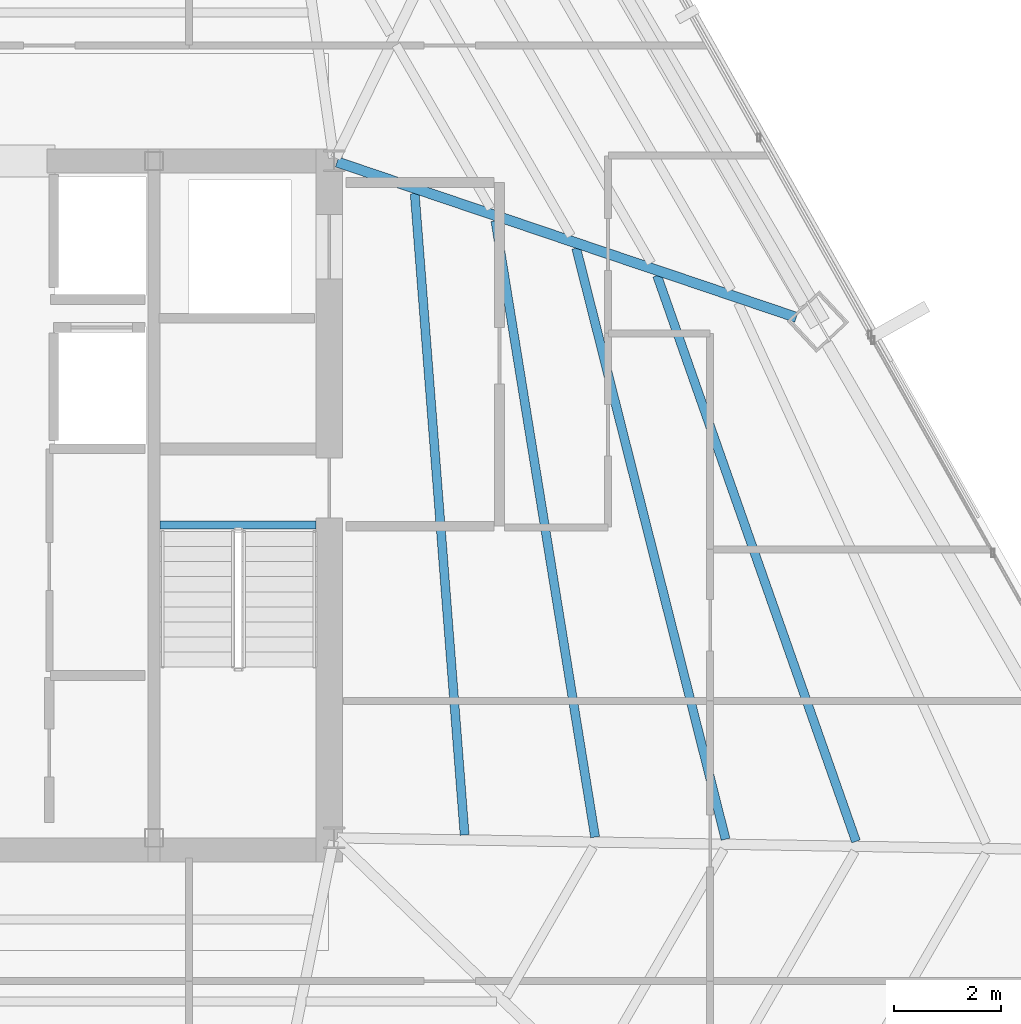
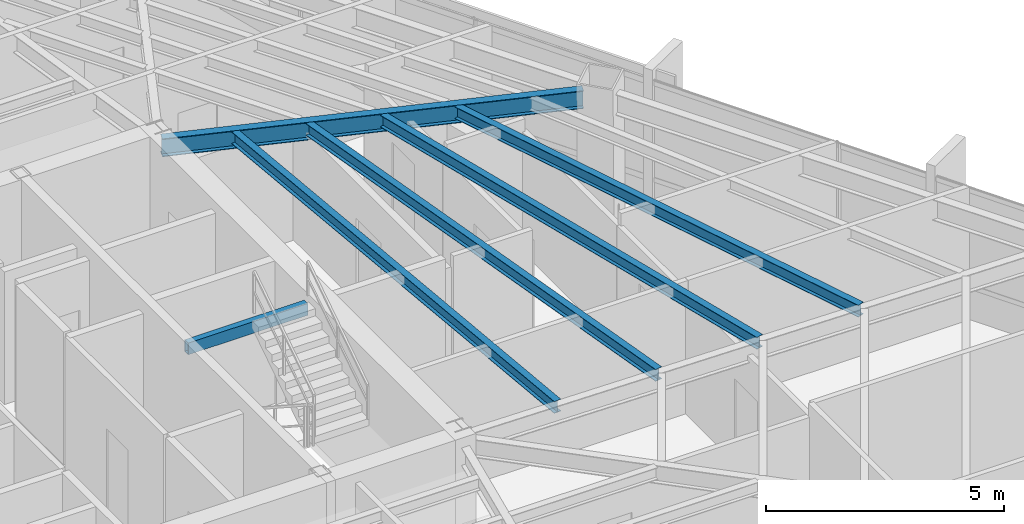
# One storey, part 23 of 44: 6 beams.
"""IFC4 building model written with IfcOpenShell, lengths in metres."""

from ifc_helpers import new_model, si_unit, direction, frame, origin, origin_2d, place, context, subcontext, project, spatial, hollow_rectangle, i_section, extrude, source, transform, mapped, material, material_profile, profile_set, type_object, type_shapes, element, save


model = new_model("IFC4")

# Units and contexts
model_context = context("Model", 3, precision=1e-05, world=origin(), true_north=direction((0.0, 1.0)))
body_context = subcontext(model_context, "Body", "Model", "MODEL_VIEW")
ifc_project = project(units=[si_unit("LENGTHUNIT", "METRE"), si_unit("AREAUNIT", "SQUARE_METRE"), si_unit("VOLUMEUNIT", "CUBIC_METRE"), si_unit("PLANEANGLEUNIT", "RADIAN"), si_unit("MASSUNIT", "GRAM", prefix="KILO")], contexts=[model_context])

# Site, building, storey
site_placement = place(None, origin())
site = spatial("IfcSite", under=ifc_project, at=site_placement, CompositionType="ELEMENT")
building_placement = place(site_placement, origin())
building = spatial("IfcBuilding", under=site, at=building_placement, Name="Caelisora Broadcast Tower", CompositionType="ELEMENT")
storey_placement = place(building_placement, frame((0.0, 0.0, 198.64990234375)))
storey = spatial("IfcBuildingStorey", under=building, at=storey_placement, Name="L52", CompositionType="ELEMENT", Elevation=198.64990234375)

# Beams
ifc_material_1 = material(Name="Steel Grade 350 (AS/NZS 1163 C350L0)", Category="steel")
ifc_material_profile_1 = material_profile(ifc_material_1, hollow_rectangle(XDim=0.14990234375, YDim=0.300048828125, WallThickness=0.010009765625, at=origin_2d()), Name="Steel Grade 350 (AS/NZS 1163 C350L0)")
ifc_profile_set_1 = profile_set([ifc_material_profile_1], Name="Steel Grade 350 (AS/NZS 1163 C350L0)")
beam_type_1 = type_object("IfcBeamType", Name="SB05", PredefinedType="JOIST", material=ifc_profile_set_1)
shared_shape_1 = source(origin(), body_context, "Body", "SweptSolid", [
    extrude(hollow_rectangle(XDim=0.14990234375, YDim=0.300048828125, WallThickness=0.010009765625, at=origin_2d()), origin(), (0.0, 0.0, 1.0), 2.89990234375),
])
type_shapes(beam_type_1, [shared_shape_1])
beam_1_placement = place(storey_placement, frame((42.260009765625, 23.219970703125, 3.25), z_axis=(1.0, 0.0, 0.0), x_axis=(0.0, 1.0, 0.0)))
element("IfcBeam", 1, at=beam_1_placement, inside=storey, type_object=beam_type_1, Name="L52 beam SB05", PredefinedType="JOIST", context=body_context, shape_type="MappedRepresentation", body=[
    mapped(shared_shape_1, transform((0.0, 0.0, 0.0), scale=1.0)),
])
ifc_material_2 = material(Name="Steel Grade 350 (AS/NZS 3679.1)", Category="steel")
ifc_material_profile_2 = material_profile(ifc_material_2, i_section(OverallWidth=0.19091796875, OverallDepth=0.46044921875, WebThickness=0.010009765625, FlangeThickness=0.01611328125, at=origin_2d()), Name="Steel Grade 350 (AS/NZS 3679.1)")
ifc_profile_set_2 = profile_set([ifc_material_profile_2], Name="Steel Grade 350 (AS/NZS 3679.1)")
beam_type_2 = type_object("IfcBeamType", Name="PG06", PredefinedType="BEAM", material=ifc_profile_set_2)
shared_shape_2 = source(origin(), body_context, "Body", "SweptSolid", [
    extrude(i_section(OverallWidth=0.19091796875, OverallDepth=0.46044921875, WebThickness=0.010009765625, FlangeThickness=0.01611328125, at=origin_2d()), origin(), (0.0, 0.0, 1.0), 9.025146484375),
])
type_shapes(beam_type_2, [shared_shape_2])
beam_2_placement = place(storey_placement, frame((45.556884765625, 29.980712890625, 3.169921875), z_axis=(0.947212430903, -0.320606629286, 0.0), x_axis=(0.320606629286, 0.947212430903, 0.0)))
element("IfcBeam", 2, at=beam_2_placement, inside=storey, type_object=beam_type_2, Name="L52 beam PG06", PredefinedType="BEAM", context=body_context, shape_type="MappedRepresentation", body=[
    mapped(shared_shape_2, transform((0.0, 0.0, 0.0), scale=1.0)),
])
ifc_material_profile_3 = material_profile(ifc_material_2, i_section(OverallWidth=0.166015625, OverallDepth=0.30712890625, WebThickness=0.006591796875, FlangeThickness=0.01171875, at=origin_2d()), Name="Steel Grade 350 (AS/NZS 3679.1)")
ifc_profile_set_3 = profile_set([ifc_material_profile_3], Name="Steel Grade 350 (AS/NZS 3679.1)")
beam_type_3 = type_object("IfcBeamType", Name="SB03", PredefinedType="JOIST", material=ifc_profile_set_3)
shared_shape_3 = source(origin(), body_context, "Body", "SweptSolid", [
    extrude(i_section(OverallWidth=0.166015625, OverallDepth=0.30712890625, WebThickness=0.006591796875, FlangeThickness=0.01171875, at=origin_2d()), origin(), (0.0, 0.0, 1.0), 11.977294921875),
])
beam_3_placement = place(storey_placement, frame((47.93017578125, 17.45263671875, 3.24658203125), z_axis=(-0.077539758897, 0.996989260619, 0.0), x_axis=(-0.996989260619, -0.077539758897, 0.0)))
element("IfcBeam", 3, at=beam_3_placement, inside=storey, type_object=beam_type_3, Name="L52 beam SB03", PredefinedType="JOIST", context=body_context, shape_type="MappedRepresentation", body=[
    mapped(shared_shape_3, transform((0.0, 0.0, 0.0), scale=1.0)),
])
shared_shape_4 = source(origin(), body_context, "Body", "SweptSolid", [
    extrude(i_section(OverallWidth=0.166015625, OverallDepth=0.30712890625, WebThickness=0.006591796875, FlangeThickness=0.01171875, at=origin_2d()), origin(), (0.0, 0.0, 1.0), 11.62158203125),
])
beam_4_placement = place(storey_placement, frame((50.359619140625, 17.412841796875, 3.24658203125), z_axis=(-0.159678909006, 0.987169005803, 0.0), x_axis=(-0.987169005803, -0.159678909006, 0.0)))
element("IfcBeam", 4, at=beam_4_placement, inside=storey, type_object=beam_type_3, Name="L52 beam SB03", PredefinedType="JOIST", context=body_context, shape_type="MappedRepresentation", body=[
    mapped(shared_shape_4, transform((0.0, 0.0, 0.0), scale=1.0)),
])
shared_shape_5 = source(origin(), body_context, "Body", "SweptSolid", [
    extrude(i_section(OverallWidth=0.166015625, OverallDepth=0.30712890625, WebThickness=0.006591796875, FlangeThickness=0.01171875, at=origin_2d()), origin(), (0.0, 0.0, 1.0), 11.348876953125),
])
beam_5_placement = place(storey_placement, frame((52.788330078125, 17.373046875, 3.24658203125), z_axis=(-0.244984749811, 0.969526932251, 0.0), x_axis=(-0.969526932251, -0.244984749811, 0.0)))
element("IfcBeam", 5, at=beam_5_placement, inside=storey, type_object=beam_type_3, Name="L52 beam SB03", PredefinedType="JOIST", context=body_context, shape_type="MappedRepresentation", body=[
    mapped(shared_shape_5, transform((0.0, 0.0, 0.0), scale=1.0)),
])
shared_shape_6 = source(origin(), body_context, "Body", "SweptSolid", [
    extrude(i_section(OverallWidth=0.166015625, OverallDepth=0.30712890625, WebThickness=0.006591796875, FlangeThickness=0.01171875, at=origin_2d()), origin(), (0.0, 0.0, 1.0), 11.164794921875),
])
type_shapes(beam_type_3, [shared_shape_3, shared_shape_4, shared_shape_5, shared_shape_6])
beam_6_placement = place(storey_placement, frame((55.21630859375, 17.333251953125, 3.24658203125), z_axis=(-0.331615403366, 0.94341466188, 0.0), x_axis=(-0.94341466188, -0.331615403366, 0.0)))
element("IfcBeam", 6, at=beam_6_placement, inside=storey, type_object=beam_type_3, Name="L52 beam SB03", PredefinedType="JOIST", context=body_context, shape_type="MappedRepresentation", body=[
    mapped(shared_shape_6, transform((0.0, 0.0, 0.0), scale=1.0)),
])

save(model, "model.ifc")
